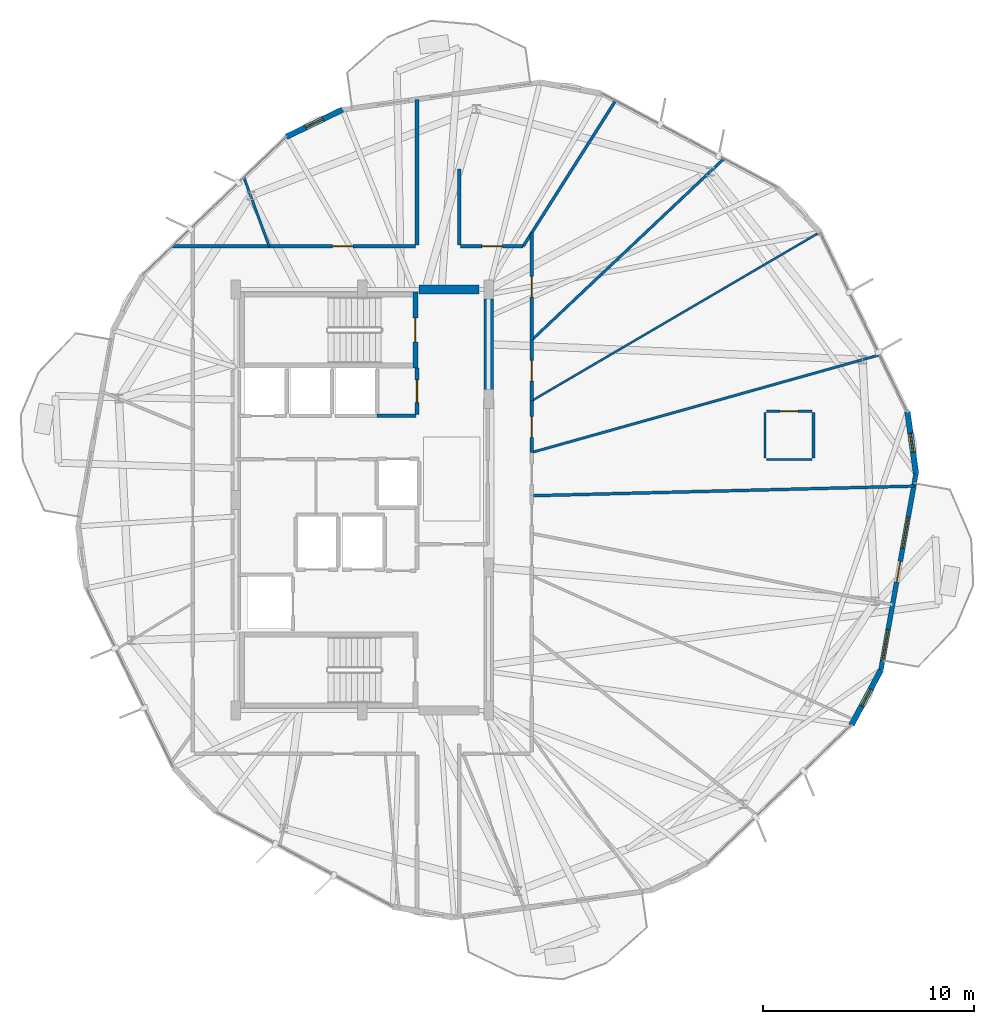
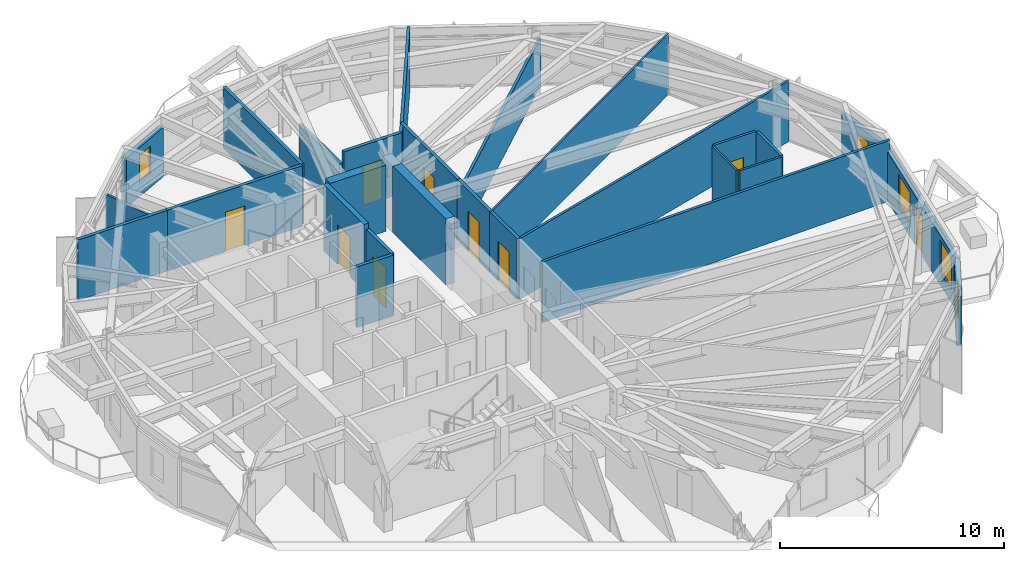
# One storey, part 22 of 26: 27 walls, 9 doors, 5 windows, 14 openings.
"""IFC4 building model written with IfcOpenShell, lengths in metres."""

from ifc_helpers import new_model, si_unit, direction, frame, frame_2d, origin, place, context, subcontext, project, spatial, rectangle, extrude, material, layer, layer_set, type_object, element, fill, save


model = new_model("IFC4")

# Units and contexts
model_context = context("Model", 3, precision=1e-05, world=origin(), true_north=direction((0.0, 1.0)))
body_context = subcontext(model_context, "Body", "Model", "MODEL_VIEW")
ifc_project = project(units=[si_unit("LENGTHUNIT", "METRE"), si_unit("AREAUNIT", "SQUARE_METRE"), si_unit("VOLUMEUNIT", "CUBIC_METRE"), si_unit("PLANEANGLEUNIT", "RADIAN"), si_unit("MASSUNIT", "GRAM", prefix="KILO")], contexts=[model_context])

# Site, building, storey
site_placement = place(None, origin())
site = spatial("IfcSite", under=ifc_project, at=site_placement, CompositionType="ELEMENT")
building_placement = place(site_placement, origin())
building = spatial("IfcBuilding", under=site, at=building_placement, Name="Soratama Intermodal Tower", CompositionType="ELEMENT")
storey_placement = place(building_placement, frame((0.0, 0.0, 194.199951171875)))
storey = spatial("IfcBuildingStorey", under=building, at=storey_placement, Name="L48", CompositionType="ELEMENT", Elevation=194.199951171875)

# Wall, openings, door, windows
ifc_material_1 = material(Name="Concrete f'c 42 MPa", Category="concrete")
ifc_layer_1 = layer(ifc_material_1, 0.22998046875)
ifc_layer_set_1 = layer_set([ifc_layer_1], Name="Concrete f'c 42 MPa")
wall_type_1 = type_object("IfcWallType", Name="EW-BAL-230", PredefinedType="SOLIDWALL", material=ifc_layer_set_1)
wall_1_placement = place(storey_placement, frame((63.23828125, 16.927490234375, 0.0), z_axis=(0.0, 0.0, 1.0), x_axis=(0.176062749049, 0.984378945527, 0.0)))
wall_1 = element("IfcWall", 1, at=wall_1_placement, inside=storey, type_object=wall_type_1, Name="L48 Terrace Wall F09", PredefinedType="SOLIDWALL", context=body_context, shape_type="SweptSolid", body=[
    extrude(rectangle(XDim=9.470947265625, YDim=0.22998046875, at=frame_2d((4.7353515625, 0.0))), origin(), (0.0, 0.0, 1.0), 2.678955078125),
])
opening_1_placement = place(wall_1_placement, frame((4.235595703125, 0.0, 0.0)))
opening_1 = element("IfcOpeningElement", 2, at=opening_1_placement, cuts=wall_1, Name="Opening ED-2", PredefinedType="OPENING", context=body_context, shape_type="SweptSolid", body=[
    extrude(rectangle(XDim=1.0, YDim=2.14990234375, at=frame_2d((0.5, 1.074951171875))), frame((0.0, 0.125, 0.0), z_axis=(0.0, -1.0, 0.0), x_axis=(1.0, 0.0, 0.0)), (0.0, 0.0, 1.0), 0.25),
])
opening_2_placement = place(wall_1_placement, frame((0.43994140625, 0.0, 0.719970703125)))
opening_2 = element("IfcOpeningElement", 3, at=opening_2_placement, cuts=wall_1, Name="Opening WN-1", PredefinedType="OPENING", context=body_context, shape_type="SweptSolid", body=[
    extrude(rectangle(XDim=1.5, YDim=1.699951171875, at=frame_2d((0.75, 0.85009765625))), frame((0.0, 0.125, 0.0), z_axis=(0.0, -1.0, 0.0), x_axis=(1.0, 0.0, 0.0)), (0.0, 0.0, 1.0), 0.25),
])
opening_3_placement = place(wall_1_placement, frame((5.87548828125, 0.0, 0.719970703125)))
opening_3 = element("IfcOpeningElement", 4, at=opening_3_placement, cuts=wall_1, Name="Opening WN-1", PredefinedType="OPENING", context=body_context, shape_type="SweptSolid", body=[
    extrude(rectangle(XDim=1.5, YDim=1.699951171875, at=frame_2d((0.75, 0.85009765625))), frame((0.0, 0.125, 0.0), z_axis=(0.0, -1.0, 0.0), x_axis=(1.0, 0.0, 0.0)), (0.0, 0.0, 1.0), 0.25),
])
ifc_material_2 = material(Name="Double-glazed aluminium door", Category="aluminium")
door_type_1 = type_object("IfcDoorType", Name="DR-BAL-1000", OperationType="NOTDEFINED", PredefinedType="DOOR", material=ifc_material_2)
door_1_placement = place(opening_1_placement, origin())
door_1 = element("IfcDoor", 5, at=door_1_placement, inside=storey, type_object=door_type_1, Name="L48 Balcony Door F09", OperationType="SINGLE_SWING_LEFT", OverallHeight=2.14990234375, OverallWidth=1.0, PredefinedType="DOOR", context=body_context, shape_type="SweptSolid", body=[
    extrude(rectangle(XDim=1.0, YDim=2.14990234375, at=frame_2d((0.5, 1.074951171875))), frame((0.0, 0.02490234375, 0.0), z_axis=(0.0, -1.0, 0.0), x_axis=(1.0, 0.0, 0.0)), (0.0, 0.0, 1.0), 0.050048828125),
])
fill(opening_1, door_1)
ifc_material_3 = material(Name="Double-glazed aluminium window", Category="aluminium")
window_type_1 = type_object("IfcWindowType", Name="WN-FAC-1500", PartitioningType="SINGLE_PANEL", PredefinedType="WINDOW", material=ifc_material_3)
window_1_placement = place(opening_2_placement, origin())
window_1 = element("IfcWindow", 6, at=window_1_placement, inside=storey, type_object=window_type_1, Name="L48 Window A F09", OverallHeight=1.699951171875, OverallWidth=1.5, PartitioningType="SINGLE_PANEL", PredefinedType="WINDOW", context=body_context, shape_type="SweptSolid", body=[
    extrude(rectangle(XDim=1.5, YDim=1.699951171875, at=frame_2d((0.75, 0.85009765625))), frame((0.0, 0.030029296875, 0.0), z_axis=(0.0, -1.0, 0.0), x_axis=(1.0, 0.0, 0.0)), (0.0, 0.0, 1.0), 0.06005859375),
])
fill(opening_2, window_1)
window_2_placement = place(opening_3_placement, origin())
window_2 = element("IfcWindow", 7, at=window_2_placement, inside=storey, type_object=window_type_1, Name="L48 Window B F09", OverallHeight=1.699951171875, OverallWidth=1.5, PartitioningType="SINGLE_PANEL", PredefinedType="WINDOW", context=body_context, shape_type="SweptSolid", body=[
    extrude(rectangle(XDim=1.5, YDim=1.699951171875, at=frame_2d((0.75, 0.85009765625))), frame((0.0, 0.030029296875, 0.0), z_axis=(0.0, -1.0, 0.0), x_axis=(1.0, 0.0, 0.0)), (0.0, 0.0, 1.0), 0.06005859375),
])
fill(opening_3, window_2)

# Wall, opening, window
ifc_material_4 = material(Name="Concrete f'c 42 MPa", Category="concrete")
ifc_layer_2 = layer(ifc_material_4, 0.27001953125)
ifc_layer_set_2 = layer_set([ifc_layer_2], Name="Concrete f'c 42 MPa")
wall_type_2 = type_object("IfcWallType", Name="EW-CRN-270", PredefinedType="SOLIDWALL", material=ifc_layer_set_2)
wall_2_placement = place(storey_placement, frame((37.659423828125, 43.544921875, 0.0), z_axis=(0.0, 0.0, 1.0), x_axis=(-0.899889481121, -0.436118013578, 0.0)))
wall_2 = element("IfcWall", 8, at=wall_2_placement, inside=storey, type_object=wall_type_2, Name="L48 Corner Closure Wall 02", PredefinedType="SOLIDWALL", context=body_context, shape_type="SweptSolid", body=[
    extrude(rectangle(XDim=2.96630859375, YDim=0.27001953125, at=frame_2d((1.483154296875, 0.0))), origin(), (0.0, 0.0, 1.0), 2.678955078125),
])
opening_4_placement = place(wall_2_placement, frame((1.033203125, 0.0, 0.75)))
opening_4 = element("IfcOpeningElement", 9, at=opening_4_placement, cuts=wall_2, Name="Opening WN-6", PredefinedType="OPENING", context=body_context, shape_type="SweptSolid", body=[
    extrude(rectangle(XDim=0.89990234375, YDim=1.5, at=frame_2d((0.449951171875, 0.75))), frame((0.0, 0.14501953125, 0.0), z_axis=(0.0, -1.0, 0.0), x_axis=(1.0, 0.0, 0.0)), (0.0, 0.0, 1.0), 0.2900390625),
])
ifc_material_5 = material(Name="Double-glazed aluminium window", Category="aluminium")
window_type_2 = type_object("IfcWindowType", Name="WN-FAC-900", PartitioningType="SINGLE_PANEL", PredefinedType="WINDOW", material=ifc_material_5)
window_3_placement = place(opening_4_placement, origin())
window_3 = element("IfcWindow", 10, at=window_3_placement, inside=storey, type_object=window_type_2, Name="L48 Corner Window 02", OverallHeight=1.5, OverallWidth=0.89990234375, PartitioningType="SINGLE_PANEL", PredefinedType="WINDOW", context=body_context, shape_type="SweptSolid", body=[
    extrude(rectangle(XDim=0.89990234375, YDim=1.5, at=frame_2d((0.449951171875, 0.75))), frame((0.0, 0.030029296875, 0.0), z_axis=(0.0, -1.0, 0.0), x_axis=(1.0, 0.0, 0.0)), (0.0, 0.0, 1.0), 0.06005859375),
])
fill(opening_4, window_3)

wall_3_placement = place(storey_placement, frame((61.839111328125, 14.3115234375, 0.0), z_axis=(0.0, 0.0, 1.0), x_axis=(0.471634393059, 0.88179419327, 0.0)))
wall_3 = element("IfcWall", 11, at=wall_3_placement, inside=storey, type_object=wall_type_2, Name="L48 Corner Closure Wall 08", PredefinedType="SOLIDWALL", context=body_context, shape_type="SweptSolid", body=[
    extrude(rectangle(XDim=2.966552734375, YDim=0.27001953125, at=frame_2d((1.4833984375, 0.0))), origin(), (0.0, 0.0, 1.0), 2.678955078125),
])
opening_5_placement = place(wall_3_placement, frame((1.033203125, 0.0, 0.75)))
opening_5 = element("IfcOpeningElement", 12, at=opening_5_placement, cuts=wall_3, Name="Opening WN-6", PredefinedType="OPENING", context=body_context, shape_type="SweptSolid", body=[
    extrude(rectangle(XDim=0.89990234375, YDim=1.5, at=frame_2d((0.449951171875, 0.75))), frame((0.0, 0.14501953125, 0.0), z_axis=(0.0, -1.0, 0.0), x_axis=(1.0, 0.0, 0.0)), (0.0, 0.0, 1.0), 0.2900390625),
])
window_4_placement = place(opening_5_placement, origin())
window_4 = element("IfcWindow", 13, at=window_4_placement, inside=storey, type_object=window_type_2, Name="L48 Corner Window 08", OverallHeight=1.5, OverallWidth=0.89990234375, PartitioningType="SINGLE_PANEL", PredefinedType="WINDOW", context=body_context, shape_type="SweptSolid", body=[
    extrude(rectangle(XDim=0.89990234375, YDim=1.5, at=frame_2d((0.449951171875, 0.75))), frame((0.0, 0.030029296875, 0.0), z_axis=(0.0, -1.0, 0.0), x_axis=(1.0, 0.0, 0.0)), (0.0, 0.0, 1.0), 0.06005859375),
])
fill(opening_5, window_4)

wall_4_placement = place(storey_placement, frame((64.90576171875, 26.25048828125, 0.0), z_axis=(0.0, 0.0, 1.0), x_axis=(-0.136776637091, 0.99060191376, 0.0)))
wall_4 = element("IfcWall", 14, at=wall_4_placement, inside=storey, type_object=wall_type_2, Name="L48 Corner Closure Wall 09", PredefinedType="SOLIDWALL", context=body_context, shape_type="SweptSolid", body=[
    extrude(rectangle(XDim=2.966552734375, YDim=0.27001953125, at=frame_2d((1.4833984375, 0.0))), origin(), (0.0, 0.0, 1.0), 2.678955078125),
])
opening_6_placement = place(wall_4_placement, frame((1.033203125, 0.0, 0.75)))
opening_6 = element("IfcOpeningElement", 15, at=opening_6_placement, cuts=wall_4, Name="Opening WN-6", PredefinedType="OPENING", context=body_context, shape_type="SweptSolid", body=[
    extrude(rectangle(XDim=0.89990234375, YDim=1.5, at=frame_2d((0.449951171875, 0.75))), frame((0.0, 0.14501953125, 0.0), z_axis=(0.0, -1.0, 0.0), x_axis=(1.0, 0.0, 0.0)), (0.0, 0.0, 1.0), 0.2900390625),
])
window_5_placement = place(opening_6_placement, origin())
window_5 = element("IfcWindow", 16, at=window_5_placement, inside=storey, type_object=window_type_2, Name="L48 Corner Window 09", OverallHeight=1.5, OverallWidth=0.89990234375, PartitioningType="SINGLE_PANEL", PredefinedType="WINDOW", context=body_context, shape_type="SweptSolid", body=[
    extrude(rectangle(XDim=0.89990234375, YDim=1.5, at=frame_2d((0.449951171875, 0.75))), frame((0.0, 0.030029296875, 0.0), z_axis=(0.0, -1.0, 0.0), x_axis=(1.0, 0.0, 0.0)), (0.0, 0.0, 1.0), 0.06005859375),
])
fill(opening_6, window_5)

# Wall, opening, door
ifc_material_6 = material(Name="Fire-rated gypsum stud partition", Category="concrete")
ifc_layer_3 = layer(ifc_material_6, 0.169921875)
ifc_layer_set_3 = layer_set([ifc_layer_3], Name="Fire-rated gypsum stud partition")
wall_type_3 = type_object("IfcWallType", Name="IW-PART-R170", PredefinedType="PARTITIONING", material=ifc_layer_set_3)
wall_5_placement = place(storey_placement, frame((34.177978515625, 37.050048828125, 0.0), z_axis=(0.0, 0.0, 1.0), x_axis=(1.0, 0.0, 0.0)))
wall_5 = element("IfcWall", 17, at=wall_5_placement, inside=storey, type_object=wall_type_3, Name="L48 Partition W-L48-TP015", PredefinedType="PARTITIONING", context=body_context, shape_type="SweptSolid", body=[
    extrude(rectangle(XDim=6.951904296875, YDim=0.169921875, at=frame_2d((3.47607421875, 0.0))), origin(), (0.0, 0.0, 1.0), 3.300048828125),
])
opening_7_placement = place(wall_5_placement, frame((3.0009765625, 0.0, 0.0)))
opening_7 = element("IfcOpeningElement", 18, at=opening_7_placement, cuts=wall_5, Name="Opening ID-5", PredefinedType="OPENING", context=body_context, shape_type="SweptSolid", body=[
    extrude(rectangle(XDim=0.97998046875, YDim=2.14990234375, at=frame_2d((0.489990234375, 1.074951171875))), frame((0.0, 0.094970703125, 0.0), z_axis=(0.0, -1.0, 0.0), x_axis=(1.0, 0.0, 0.0)), (0.0, 0.0, 1.0), 0.18994140625),
])
ifc_material_7 = material(Name="Solid hardwood acoustic door", Category="wood")
door_type_2 = type_object("IfcDoorType", Name="DR-OFF-980", OperationType="NOTDEFINED", PredefinedType="DOOR", material=ifc_material_7)
door_2_placement = place(opening_7_placement, origin())
door_2 = element("IfcDoor", 19, at=door_2_placement, inside=storey, type_object=door_type_2, Name="L48 Door D-L48-TP004", OperationType="SINGLE_SWING_LEFT", OverallHeight=2.14990234375, OverallWidth=0.97998046875, PredefinedType="DOOR", context=body_context, shape_type="SweptSolid", body=[
    extrude(rectangle(XDim=0.97998046875, YDim=2.14990234375, at=frame_2d((0.489990234375, 1.074951171875))), frame((0.0, 0.02490234375, 0.0), z_axis=(0.0, -1.0, 0.0), x_axis=(1.0, 0.0, 0.0)), (0.0, 0.0, 1.0), 0.050048828125),
])
fill(opening_7, door_2)

# Wall
wall_6_placement = place(storey_placement, frame((41.199951171875, 37.1201171875, 0.0), z_axis=(0.0, 0.0, 1.0), x_axis=(0.0, 1.0, 0.0)))
element("IfcWall", 20, at=wall_6_placement, inside=storey, type_object=wall_type_3, Name="L48 Partition W-L48-TP016", PredefinedType="PARTITIONING", context=body_context, shape_type="SweptSolid", body=[
    extrude(rectangle(XDim=6.913818359375, YDim=0.169921875, at=frame_2d((3.45703125, 0.0))), origin(), (0.0, 0.0, 1.0), 3.300048828125),
])

# Wall, opening, door
wall_7_placement = place(storey_placement, frame((46.64990234375, 37.69189453125, 0.0), z_axis=(0.0, 0.0, 1.0), x_axis=(0.0, -1.0, 0.0)))
wall_7 = element("IfcWall", 21, at=wall_7_placement, inside=storey, type_object=wall_type_3, Name="L48 Partition W-L48-TP020", PredefinedType="PARTITIONING", context=body_context, shape_type="SweptSolid", body=[
    extrude(rectangle(XDim=5.094970703125, YDim=0.169921875, at=frame_2d((2.54736328125, 0.0))), origin(), (0.0, 0.0, 1.0), 3.300048828125),
])
opening_8_placement = place(wall_7_placement, frame((2.072021484375, 0.0, 0.0)))
opening_8 = element("IfcOpeningElement", 22, at=opening_8_placement, cuts=wall_7, Name="Opening ID-5", PredefinedType="OPENING", context=body_context, shape_type="SweptSolid", body=[
    extrude(rectangle(XDim=0.97998046875, YDim=2.14990234375, at=frame_2d((0.489990234375, 1.074951171875))), frame((0.0, 0.094970703125, 0.0), z_axis=(0.0, -1.0, 0.0), x_axis=(1.0, 0.0, 0.0)), (0.0, 0.0, 1.0), 0.18994140625),
])
door_3_placement = place(opening_8_placement, origin())
door_3 = element("IfcDoor", 23, at=door_3_placement, inside=storey, type_object=door_type_2, Name="L48 Door D-L48-TP008", OperationType="SINGLE_SWING_LEFT", OverallHeight=2.14990234375, OverallWidth=0.97998046875, PredefinedType="DOOR", context=body_context, shape_type="SweptSolid", body=[
    extrude(rectangle(XDim=0.97998046875, YDim=2.14990234375, at=frame_2d((0.489990234375, 1.074951171875))), frame((0.0, 0.02490234375, 0.0), z_axis=(0.0, -1.0, 0.0), x_axis=(1.0, 0.0, 0.0)), (0.0, 0.0, 1.0), 0.050048828125),
])
fill(opening_8, door_3)

# Wall
wall_8_placement = place(storey_placement, frame((29.577880859375, 37.050048828125, 0.0), z_axis=(0.0, 0.0, 1.0), x_axis=(1.0, 0.0, 0.0)))
element("IfcWall", 24, at=wall_8_placement, inside=storey, type_object=wall_type_3, Name="L48 Partition W-L48-TP023", PredefinedType="PARTITIONING", context=body_context, shape_type="SweptSolid", body=[
    extrude(rectangle(XDim=4.60009765625, YDim=0.169921875, at=frame_2d((2.300048828125, 0.0))), origin(), (0.0, 0.0, 1.0), 3.300048828125),
])

# Wall, opening, door
wall_9_placement = place(storey_placement, frame((43.27001953125, 37.050048828125, 0.0), z_axis=(0.0, 0.0, 1.0), x_axis=(1.0, 0.0, 0.0)))
wall_9 = element("IfcWall", 25, at=wall_9_placement, inside=storey, type_object=wall_type_3, Name="L48 Partition W-L48-TP031", PredefinedType="PARTITIONING", context=body_context, shape_type="SweptSolid", body=[
    extrude(rectangle(XDim=2.972900390625, YDim=0.169921875, at=frame_2d((1.486328125, 0.0))), origin(), (0.0, 0.0, 1.0), 3.300048828125),
])
opening_9_placement = place(wall_9_placement, frame((1.010986328125, 0.0, 0.0)))
opening_9 = element("IfcOpeningElement", 26, at=opening_9_placement, cuts=wall_9, Name="Opening ID-5", PredefinedType="OPENING", context=body_context, shape_type="SweptSolid", body=[
    extrude(rectangle(XDim=0.97998046875, YDim=2.14990234375, at=frame_2d((0.489990234375, 1.074951171875))), frame((0.0, 0.094970703125, 0.0), z_axis=(0.0, -1.0, 0.0), x_axis=(1.0, 0.0, 0.0)), (0.0, 0.0, 1.0), 0.18994140625),
])
door_4_placement = place(opening_9_placement, origin())
door_4 = element("IfcDoor", 27, at=door_4_placement, inside=storey, type_object=door_type_2, Name="L48 Door D-L48-TP014", OperationType="SINGLE_SWING_LEFT", OverallHeight=2.14990234375, OverallWidth=0.97998046875, PredefinedType="DOOR", context=body_context, shape_type="SweptSolid", body=[
    extrude(rectangle(XDim=0.97998046875, YDim=2.14990234375, at=frame_2d((0.489990234375, 1.074951171875))), frame((0.0, 0.02490234375, 0.0), z_axis=(0.0, -1.0, 0.0), x_axis=(1.0, 0.0, 0.0)), (0.0, 0.0, 1.0), 0.050048828125),
])
fill(opening_9, door_4)

wall_10_placement = place(storey_placement, frame((46.64990234375, 32.596923828125, 0.0), z_axis=(0.0, 0.0, 1.0), x_axis=(0.0, -1.0, 0.0)))
wall_10 = element("IfcWall", 28, at=wall_10_placement, inside=storey, type_object=wall_type_3, Name="L48 Partition W-L48-TP032", PredefinedType="PARTITIONING", context=body_context, shape_type="SweptSolid", body=[
    extrude(rectangle(XDim=2.885986328125, YDim=0.169921875, at=frame_2d((1.44287109375, 0.0))), origin(), (0.0, 0.0, 1.0), 3.300048828125),
])
opening_10_placement = place(wall_10_placement, frame((0.968017578125, 0.0, 0.0)))
opening_10 = element("IfcOpeningElement", 29, at=opening_10_placement, cuts=wall_10, Name="Opening ID-5", PredefinedType="OPENING", context=body_context, shape_type="SweptSolid", body=[
    extrude(rectangle(XDim=0.97998046875, YDim=2.14990234375, at=frame_2d((0.489990234375, 1.074951171875))), frame((0.0, 0.094970703125, 0.0), z_axis=(0.0, -1.0, 0.0), x_axis=(1.0, 0.0, 0.0)), (0.0, 0.0, 1.0), 0.18994140625),
])
door_5_placement = place(opening_10_placement, origin())
door_5 = element("IfcDoor", 30, at=door_5_placement, inside=storey, type_object=door_type_2, Name="L48 Door D-L48-TP015", OperationType="SINGLE_SWING_RIGHT", OverallHeight=2.14990234375, OverallWidth=0.97998046875, PredefinedType="DOOR", context=body_context, shape_type="SweptSolid", body=[
    extrude(rectangle(XDim=0.97998046875, YDim=2.14990234375, at=frame_2d((0.489990234375, 1.074951171875))), frame((0.0, 0.02490234375, 0.0), z_axis=(0.0, -1.0, 0.0), x_axis=(1.0, 0.0, 0.0)), (0.0, 0.0, 1.0), 0.050048828125),
])
fill(opening_10, door_5)

wall_11_placement = place(storey_placement, frame((46.64990234375, 29.7109375, 0.0), z_axis=(0.0, 0.0, 1.0), x_axis=(0.0, -1.0, 0.0)))
wall_11 = element("IfcWall", 31, at=wall_11_placement, inside=storey, type_object=wall_type_3, Name="L48 Partition W-L48-TP036", PredefinedType="PARTITIONING", context=body_context, shape_type="SweptSolid", body=[
    extrude(rectangle(XDim=2.452880859375, YDim=0.169921875, at=frame_2d((1.2265625, 0.0))), origin(), (0.0, 0.0, 1.0), 3.300048828125),
])
opening_11_placement = place(wall_11_placement, frame((0.7509765625, 0.0, 0.0)))
opening_11 = element("IfcOpeningElement", 32, at=opening_11_placement, cuts=wall_11, Name="Opening ID-5", PredefinedType="OPENING", context=body_context, shape_type="SweptSolid", body=[
    extrude(rectangle(XDim=0.97998046875, YDim=2.14990234375, at=frame_2d((0.489990234375, 1.074951171875))), frame((0.0, 0.094970703125, 0.0), z_axis=(0.0, -1.0, 0.0), x_axis=(1.0, 0.0, 0.0)), (0.0, 0.0, 1.0), 0.18994140625),
])
door_6_placement = place(opening_11_placement, origin())
door_6 = element("IfcDoor", 33, at=door_6_placement, inside=storey, type_object=door_type_2, Name="L48 Door D-L48-TP018", OperationType="SINGLE_SWING_LEFT", OverallHeight=2.14990234375, OverallWidth=0.97998046875, PredefinedType="DOOR", context=body_context, shape_type="SweptSolid", body=[
    extrude(rectangle(XDim=0.97998046875, YDim=2.14990234375, at=frame_2d((0.489990234375, 1.074951171875))), frame((0.0, 0.02490234375, 0.0), z_axis=(0.0, -1.0, 0.0), x_axis=(1.0, 0.0, 0.0)), (0.0, 0.0, 1.0), 0.050048828125),
])
fill(opening_11, door_6)

wall_12_placement = place(storey_placement, frame((41.199951171875, 29.070068359375, 0.0), z_axis=(0.0, 0.0, 1.0), x_axis=(0.0, 1.0, 0.0)))
wall_12 = element("IfcWall", 34, at=wall_12_placement, inside=storey, type_object=wall_type_3, Name="L48 Partition W-L48-TP037", PredefinedType="PARTITIONING", context=body_context, shape_type="SweptSolid", body=[
    extrude(rectangle(XDim=2.18994140625, YDim=0.169921875, at=frame_2d((1.094970703125, 0.0))), origin(), (0.0, 0.0, 1.0), 3.300048828125),
])
opening_12_placement = place(wall_12_placement, frame((0.554931640625, 0.0, 0.0)))
opening_12 = element("IfcOpeningElement", 35, at=opening_12_placement, cuts=wall_12, Name="Opening ID-1", PredefinedType="OPENING", context=body_context, shape_type="SweptSolid", body=[
    extrude(rectangle(XDim=1.080078125, YDim=2.14990234375, at=frame_2d((0.5400390625, 1.074951171875))), frame((0.0, 0.094970703125, 0.0), z_axis=(0.0, -1.0, 0.0), x_axis=(1.0, 0.0, 0.0)), (0.0, 0.0, 1.0), 0.18994140625),
])
ifc_material_8 = material(Name="Solid hardwood acoustic door", Category="wood")
door_type_3 = type_object("IfcDoorType", Name="DR-LOB-FD60", OperationType="NOTDEFINED", PredefinedType="DOOR", material=ifc_material_8)
door_7_placement = place(opening_12_placement, origin())
door_7 = element("IfcDoor", 36, at=door_7_placement, inside=storey, type_object=door_type_3, Name="L48 Door D-L48-TP019", OperationType="SINGLE_SWING_RIGHT", OverallHeight=2.14990234375, OverallWidth=1.080078125, PredefinedType="DOOR", context=body_context, shape_type="SweptSolid", body=[
    extrude(rectangle(XDim=1.080078125, YDim=2.14990234375, at=frame_2d((0.5400390625, 1.074951171875))), frame((0.0, 0.02490234375, 0.0), z_axis=(0.0, -1.0, 0.0), x_axis=(1.0, 0.0, 0.0)), (0.0, 0.0, 1.0), 0.050048828125),
])
fill(opening_12, door_7)

# Walls
wall_13_placement = place(storey_placement, frame((39.300048828125, 29.010009765625, 0.0), z_axis=(0.0, 0.0, 1.0), x_axis=(1.0, 0.0, 0.0)))
element("IfcWall", 37, at=wall_13_placement, inside=storey, type_object=wall_type_3, Name="L48 Partition W-L48-TP044", PredefinedType="PARTITIONING", context=body_context, shape_type="SweptSolid", body=[
    extrude(rectangle(XDim=1.85986328125, YDim=0.169921875, at=frame_2d((0.929931640625, 0.0))), origin(), (0.0, 0.0, 1.0), 3.300048828125),
])
wall_14_placement = place(storey_placement, frame((43.199951171875, 40.735107421875, 0.0), z_axis=(0.0, 0.0, 1.0), x_axis=(0.0, -1.0, 0.0)))
element("IfcWall", 38, at=wall_14_placement, inside=storey, type_object=wall_type_3, Name="L48 Partition W-L48-TP054", PredefinedType="PARTITIONING", context=body_context, shape_type="SweptSolid", body=[
    extrude(rectangle(XDim=3.614990234375, YDim=0.169921875, at=frame_2d((1.8076171875, 0.0))), origin(), (0.0, 0.0, 1.0), 2.594970703125),
])
ifc_material_9 = material(Name="Fire-rated gypsum stud partition", Category="concrete")
ifc_layer_4 = layer(ifc_material_9, 0.10009765625)
ifc_layer_set_4 = layer_set([ifc_layer_4], Name="Fire-rated gypsum stud partition")
wall_type_4 = type_object("IfcWallType", Name="IW-PART-S100", PredefinedType="PARTITIONING", material=ifc_layer_set_4)
wall_15_placement = place(storey_placement, frame((46.64990234375, 29.7109375, 0.0), z_axis=(0.0, 0.0, 1.0), x_axis=(0.863097832906, 0.505036761863, 0.0)))
element("IfcWall", 39, at=wall_15_placement, inside=storey, type_object=wall_type_4, Name="L48 Partition W-L48-TP005", PredefinedType="PARTITIONING", context=body_context, shape_type="SweptSolid", body=[
    extrude(rectangle(XDim=15.880126953125, YDim=0.10009765625, at=frame_2d((7.93994140625, 0.0))), origin(), (0.0, 0.0, 1.0), 3.300048828125),
])
wall_16_placement = place(storey_placement, frame((57.72998046875, 29.155029296875, 0.0), z_axis=(0.0, 0.0, 1.0), x_axis=(0.0, -1.0, 0.0)))
element("IfcWall", 40, at=wall_16_placement, inside=storey, type_object=wall_type_4, Name="L48 Partition W-L48-TP040", PredefinedType="PARTITIONING", context=body_context, shape_type="SweptSolid", body=[
    extrude(rectangle(XDim=2.159912109375, YDim=0.10009765625, at=frame_2d((1.080078125, 0.0))), origin(), (0.0, 0.0, 1.0), 3.300048828125),
])
ifc_material_10 = material(Name="Fire-rated gypsum stud partition", Category="concrete")
ifc_layer_5 = layer(ifc_material_10, 0.110107421875)
ifc_layer_set_5 = layer_set([ifc_layer_5], Name="Fire-rated gypsum stud partition")
wall_type_5 = type_object("IfcWallType", Name="IW-PART-S110", PredefinedType="PARTITIONING", material=ifc_layer_set_5)
wall_17_placement = place(storey_placement, frame((57.800048828125, 26.925048828125, 0.0), z_axis=(0.0, 0.0, 1.0), x_axis=(1.0, 0.0, 0.0)))
element("IfcWall", 41, at=wall_17_placement, inside=storey, type_object=wall_type_5, Name="L48 Partition W-L48-TP039", PredefinedType="PARTITIONING", context=body_context, shape_type="SweptSolid", body=[
    extrude(rectangle(XDim=2.159912109375, YDim=0.110107421875, at=frame_2d((1.080078125, 0.0))), origin(), (0.0, 0.0, 1.0), 3.300048828125),
])
ifc_material_11 = material(Name="Fire-rated gypsum stud partition", Category="concrete")
ifc_layer_6 = layer(ifc_material_11, 0.1201171875)
ifc_layer_set_6 = layer_set([ifc_layer_6], Name="Fire-rated gypsum stud partition")
wall_type_6 = type_object("IfcWallType", Name="IW-PART-S120", PredefinedType="PARTITIONING", material=ifc_layer_set_6)
wall_18_placement = place(storey_placement, frame((46.64990234375, 27.258056640625, 0.0), z_axis=(0.0, 0.0, 1.0), x_axis=(0.962839177332, 0.270075394279, 0.0)))
element("IfcWall", 42, at=wall_18_placement, inside=storey, type_object=wall_type_6, Name="L48 Partition W-L48-TP003", PredefinedType="PARTITIONING", context=body_context, shape_type="SweptSolid", body=[
    extrude(rectangle(XDim=17.17626953125, YDim=0.1201171875, at=frame_2d((8.588134765625, 0.0))), origin(), (0.0, 0.0, 1.0), 3.300048828125),
])
wall_19_placement = place(storey_placement, frame((34.177978515625, 37.050048828125, 0.0), z_axis=(0.0, 0.0, 1.0), x_axis=(-0.344674965475, 0.938722093154, 0.0)))
element("IfcWall", 43, at=wall_19_placement, inside=storey, type_object=wall_type_6, Name="L48 Partition W-L48-TP028", PredefinedType="PARTITIONING", context=body_context, shape_type="SweptSolid", body=[
    extrude(rectangle(XDim=3.4814453125, YDim=0.1201171875, at=frame_2d((1.74072265625, 0.0))), origin(), (0.0, 0.0, 1.0), 2.594970703125),
])

# Wall, opening, door
wall_20_placement = place(storey_placement, frame((59.9599609375, 29.22509765625, 0.0), z_axis=(0.0, 0.0, 1.0), x_axis=(-1.0, 0.0, 0.0)))
wall_20 = element("IfcWall", 44, at=wall_20_placement, inside=storey, type_object=wall_type_6, Name="L48 Partition W-L48-TP038", PredefinedType="PARTITIONING", context=body_context, shape_type="SweptSolid", body=[
    extrude(rectangle(XDim=2.159912109375, YDim=0.1201171875, at=frame_2d((1.080078125, 0.0))), origin(), (0.0, 0.0, 1.0), 3.300048828125),
])
opening_13_placement = place(wall_20_placement, frame((0.655029296875, 0.0, 0.0)))
opening_13 = element("IfcOpeningElement", 45, at=opening_13_placement, cuts=wall_20, Name="Opening ID-4", PredefinedType="OPENING", context=body_context, shape_type="SweptSolid", body=[
    extrude(rectangle(XDim=0.85009765625, YDim=2.10009765625, at=frame_2d((0.425048828125, 1.050048828125))), frame((0.0, 0.070068359375, 0.0), z_axis=(0.0, -1.0, 0.0), x_axis=(1.0, 0.0, 0.0)), (0.0, 0.0, 1.0), 0.14013671875),
])
ifc_material_12 = material(Name="Solid hardwood acoustic door", Category="wood")
door_type_4 = type_object("IfcDoorType", Name="DR-BATH-850", OperationType="NOTDEFINED", PredefinedType="DOOR", material=ifc_material_12)
door_8_placement = place(opening_13_placement, origin())
door_8 = element("IfcDoor", 46, at=door_8_placement, inside=storey, type_object=door_type_4, Name="L48 Door D-L48-TP020", OperationType="SINGLE_SWING_LEFT", OverallHeight=2.10009765625, OverallWidth=0.85009765625, PredefinedType="DOOR", context=body_context, shape_type="SweptSolid", body=[
    extrude(rectangle(XDim=0.85009765625, YDim=2.10009765625, at=frame_2d((0.425048828125, 1.050048828125))), frame((0.0, 0.02490234375, 0.0), z_axis=(0.0, -1.0, 0.0), x_axis=(1.0, 0.0, 0.0)), (0.0, 0.0, 1.0), 0.050048828125),
])
fill(opening_13, door_8)

# Walls
ifc_material_13 = material(Name="Fire-rated gypsum stud partition", Category="concrete")
ifc_layer_7 = layer(ifc_material_13, 0.1298828125)
ifc_layer_set_7 = layer_set([ifc_layer_7], Name="Fire-rated gypsum stud partition")
wall_type_7 = type_object("IfcWallType", Name="IW-PART-S130", PredefinedType="PARTITIONING", material=ifc_layer_set_7)
wall_21_placement = place(storey_placement, frame((46.64990234375, 32.596923828125, 0.0), z_axis=(0.0, 0.0, 1.0), x_axis=(0.727327128762, 0.686290935221, 0.0)))
element("IfcWall", 47, at=wall_21_placement, inside=storey, type_object=wall_type_7, Name="L48 Partition W-L48-TP007", PredefinedType="PARTITIONING", context=body_context, shape_type="SweptSolid", body=[
    extrude(rectangle(XDim=12.54736328125, YDim=0.1298828125, at=frame_2d((6.273681640625, 0.0))), origin(), (0.0, 0.0, 1.0), 2.594970703125),
])
ifc_material_14 = material(Name="Fire-rated gypsum stud partition", Category="concrete")
ifc_layer_8 = layer(ifc_material_14, 0.139892578125)
ifc_layer_set_8 = layer_set([ifc_layer_8], Name="Fire-rated gypsum stud partition")
wall_type_8 = type_object("IfcWallType", Name="IW-PART-S140", PredefinedType="PARTITIONING", material=ifc_layer_set_8)
wall_22_placement = place(storey_placement, frame((64.800048828125, 25.658935546875, 0.0), z_axis=(0.0, 0.0, 1.0), x_axis=(-0.999683119831, -0.02517260267, 0.0)))
element("IfcWall", 48, at=wall_22_placement, inside=storey, type_object=wall_type_8, Name="L48 Partition W-L48-TP001", PredefinedType="PARTITIONING", context=body_context, shape_type="SweptSolid", body=[
    extrude(rectangle(XDim=18.156005859375, YDim=0.139892578125, at=frame_2d((9.078125, 0.0))), origin(), (0.0, 0.0, 1.0), 3.300048828125),
])
wall_23_placement = place(storey_placement, frame((46.242919921875, 37.050048828125, 0.0), z_axis=(0.0, 0.0, 1.0), x_axis=(0.535620370442, 0.844458891106, 0.0)))
element("IfcWall", 49, at=wall_23_placement, inside=storey, type_object=wall_type_8, Name="L48 Partition W-L48-TP011", PredefinedType="PARTITIONING", context=body_context, shape_type="SweptSolid", body=[
    extrude(rectangle(XDim=8.18505859375, YDim=0.139892578125, at=frame_2d((4.092529296875, 0.0))), origin(), (0.0, 0.0, 1.0), 3.300048828125),
])
wall_24_placement = place(storey_placement, frame((60.030029296875, 26.9951171875, 0.0), z_axis=(0.0, 0.0, 1.0), x_axis=(0.0, 1.0, 0.0)))
element("IfcWall", 50, at=wall_24_placement, inside=storey, type_object=wall_type_8, Name="L48 Partition W-L48-TP041", PredefinedType="PARTITIONING", context=body_context, shape_type="SweptSolid", body=[
    extrude(rectangle(XDim=2.159912109375, YDim=0.139892578125, at=frame_2d((1.080078125, 0.0))), origin(), (0.0, 0.0, 1.0), 3.300048828125),
])
ifc_material_15 = material(Name="Concrete f'c 56 MPa", Category="concrete")
ifc_layer_9 = layer(ifc_material_15, 0.449951171875)
ifc_layer_set_9 = layer_set([ifc_layer_9], Name="Concrete f'c 56 MPa")
wall_type_9 = type_object("IfcWallType", Name="SW-CORE-450", PredefinedType="SHEAR", material=ifc_layer_set_9)
wall_25_placement = place(storey_placement, frame((41.300048828125, 35.0, 0.0), z_axis=(0.0, 0.0, 1.0), x_axis=(1.0, 0.0, 0.0)))
element("IfcWall", 51, at=wall_25_placement, inside=storey, type_object=wall_type_9, Name="L48 Core Shear Wall CW-NE", PredefinedType="SHEAR", context=body_context, shape_type="SweptSolid", body=[
    extrude(rectangle(XDim=2.849853515625, YDim=0.449951171875, at=frame_2d((1.4248046875, 0.0))), origin(), (0.0, 0.0, 1.0), 3.60009765625),
])
wall_26_placement = place(storey_placement, frame((44.60009765625, 29.800048828125, 0.0), z_axis=(0.0, 0.0, 1.0), x_axis=(0.0, 1.0, 0.0)))
element("IfcWall", 52, at=wall_26_placement, inside=storey, type_object=wall_type_9, Name="L48 Core Shear Wall CW-EN", PredefinedType="SHEAR", context=body_context, shape_type="SweptSolid", body=[
    extrude(rectangle(XDim=4.75, YDim=0.449951171875, at=frame_2d((2.375, 0.0))), origin(), (0.0, 0.0, 1.0), 3.60009765625),
])

# Wall, opening, door
ifc_material_16 = material(Name="Concrete f'c 56 MPa", Category="concrete")
ifc_layer_10 = layer(ifc_material_16, 0.239990234375)
ifc_layer_set_10 = layer_set([ifc_layer_10], Name="Concrete f'c 56 MPa")
wall_type_10 = type_object("IfcWallType", Name="SW-STAIR-240", PredefinedType="SHEAR", material=ifc_layer_set_10)
wall_27_placement = place(storey_placement, frame((41.1201171875, 31.260009765625, 0.0), z_axis=(0.0, 0.0, 1.0), x_axis=(0.0, 1.0, 0.0)))
wall_27 = element("IfcWall", 53, at=wall_27_placement, inside=storey, type_object=wall_type_10, Name="L48 ST-2 Shaft Shear Wall E", PredefinedType="SHEAR", context=body_context, shape_type="SweptSolid", body=[
    extrude(rectangle(XDim=3.6298828125, YDim=0.239990234375, at=frame_2d((1.81494140625, 0.0))), origin(), (0.0, 0.0, 1.0), 3.60009765625),
])
opening_14_placement = place(wall_27_placement, frame((1.2548828125, 0.0, 0.0)))
opening_14 = element("IfcOpeningElement", 54, at=opening_14_placement, cuts=wall_27, Name="Opening SD-1", PredefinedType="OPENING", context=body_context, shape_type="SweptSolid", body=[
    extrude(rectangle(XDim=1.1201171875, YDim=2.14990234375, at=frame_2d((0.56005859375, 1.074951171875))), frame((0.0, 0.1298828125, 0.0), z_axis=(0.0, -1.0, 0.0), x_axis=(1.0, 0.0, 0.0)), (0.0, 0.0, 1.0), 0.260009765625),
])
ifc_material_17 = material(Name="Steel fire door", Category="steel")
door_type_5 = type_object("IfcDoorType", Name="DR-STAIR-FD90", OperationType="NOTDEFINED", PredefinedType="DOOR", material=ifc_material_17)
door_9_placement = place(opening_14_placement, origin())
door_9 = element("IfcDoor", 55, at=door_9_placement, inside=storey, type_object=door_type_5, Name="L48 ST-2 Exit Stair Door", OperationType="SINGLE_SWING_RIGHT", OverallHeight=2.14990234375, OverallWidth=1.1201171875, PredefinedType="DOOR", context=body_context, shape_type="SweptSolid", body=[
    extrude(rectangle(XDim=1.1201171875, YDim=2.14990234375, at=frame_2d((0.56005859375, 1.074951171875))), frame((0.0, 0.02490234375, 0.0), z_axis=(0.0, -1.0, 0.0), x_axis=(1.0, 0.0, 0.0)), (0.0, 0.0, 1.0), 0.050048828125),
])
fill(opening_14, door_9)

save(model, "model.ifc")
